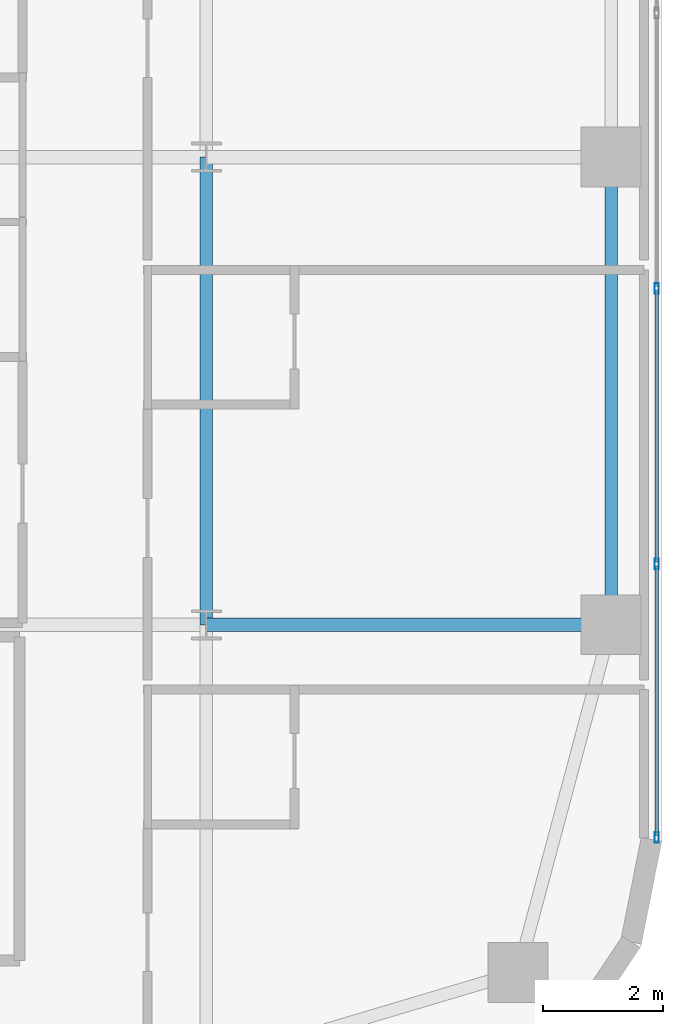
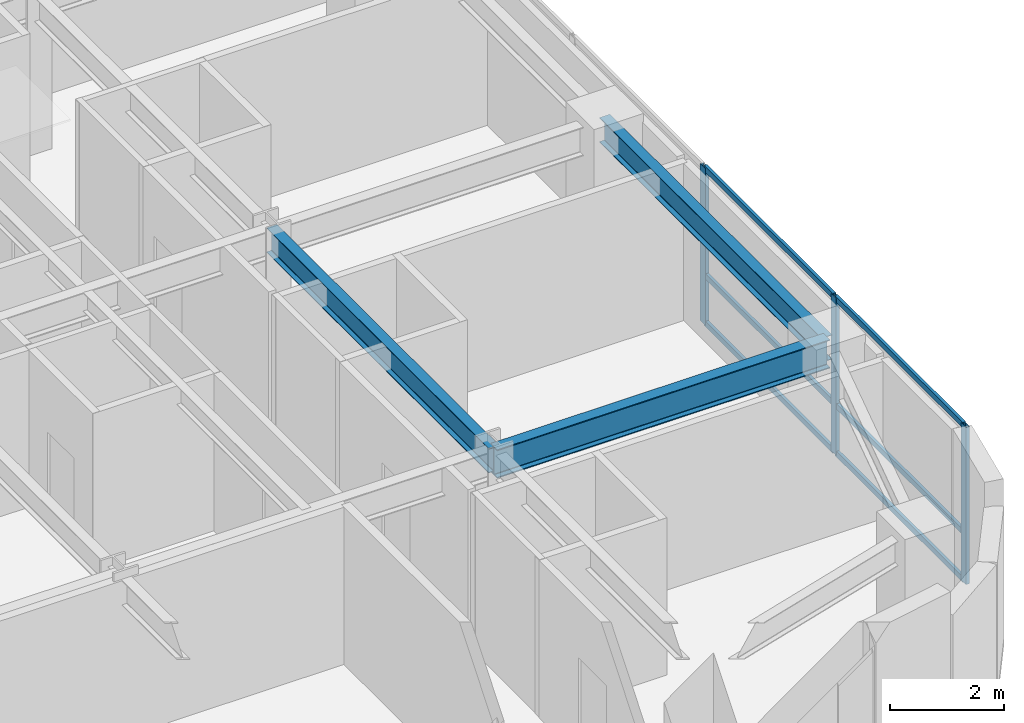
# One storey, part 12 of 31: 9 members, 3 beams, 1 element without a shape of its own.
"""IFC4 building model written with IfcOpenShell, lengths in metres."""

from ifc_helpers import new_model, si_unit, direction, frame, origin, origin_2d, place, context, subcontext, project, spatial, hollow_rectangle, i_section, extrude, source, transform, mapped, material, layer, layer_set, material_profile, profile_set, type_object, type_shapes, element, aggregate, save


model = new_model("IFC4")

# Units and contexts
model_context = context("Model", 3, precision=1e-05, world=origin(), true_north=direction((0.0, 1.0)))
body_context = subcontext(model_context, "Body", "Model", "MODEL_VIEW")
ifc_project = project(units=[si_unit("LENGTHUNIT", "METRE"), si_unit("AREAUNIT", "SQUARE_METRE"), si_unit("VOLUMEUNIT", "CUBIC_METRE"), si_unit("PLANEANGLEUNIT", "RADIAN"), si_unit("MASSUNIT", "GRAM", prefix="KILO")], contexts=[model_context])

# Site, building, storey
site_placement = place(None, origin())
site = spatial("IfcSite", under=ifc_project, at=site_placement, CompositionType="ELEMENT")
building_placement = place(site_placement, origin())
building = spatial("IfcBuilding", under=site, at=building_placement, Name="Tolvann Quenvar Hotel", CompositionType="ELEMENT")
storey_placement = place(building_placement, frame((0.0, 0.0, 74.60009765625)))
storey = spatial("IfcBuildingStorey", under=building, at=storey_placement, Name="L18", CompositionType="ELEMENT", Elevation=74.60009765625)

# Beams
ifc_material_1 = material(Name="Steel Grade 350", Category="steel")
ifc_material_profile_1 = material_profile(ifc_material_1, i_section(OverallWidth=0.22900390625, OverallDepth=0.612060546875, WebThickness=0.011962890625, FlangeThickness=0.01953125, FilletRadius=0.013916015625, at=origin_2d()), Name="610UB125")
ifc_profile_set_1 = profile_set([ifc_material_profile_1], Name="Steel Grade 350")
beam_type_1 = type_object("IfcBeamType", Name="BM_GIRD_610UB125", PredefinedType="BEAM", material=ifc_profile_set_1)
shared_shape_1 = source(origin(), body_context, "Body", "SweptSolid", [
    extrude(i_section(OverallWidth=0.22900390625, OverallDepth=0.612060546875, WebThickness=0.011962890625, FlangeThickness=0.01953125, FilletRadius=0.013916015625, at=origin_2d()), origin(), (0.0, 0.0, 1.0), 6.75),
])
type_shapes(beam_type_1, [shared_shape_1])
beam_1_placement = place(storey_placement, frame((49.39990234375, 8.199951171875, 3.06396484375), z_axis=(1.0, 0.0, 0.0), x_axis=(0.0, 1.0, 0.0)))
element("IfcBeam", 1, at=beam_1_placement, inside=storey, type_object=beam_type_1, Name="BM-L18-EW-3-I3-J3", PredefinedType="BEAM", context=body_context, shape_type="MappedRepresentation", body=[
    mapped(shared_shape_1, transform((0.0, 0.0, 0.0), x_axis=(1.0, 0.0, 0.0), y_axis=(0.0, 1.0, 0.0), z_axis=(0.0, 0.0, 1.0), scale=1.0)),
])
ifc_material_profile_2 = material_profile(ifc_material_1, i_section(OverallWidth=0.208984375, OverallDepth=0.528076171875, WebThickness=0.009521484375, FlangeThickness=0.01318359375, FilletRadius=0.013916015625, at=origin_2d()), Name="530UB82")
ifc_profile_set_2 = profile_set([ifc_material_profile_2], Name="Steel Grade 350")
beam_type_2 = type_object("IfcBeamType", Name="BM_SPAND_530UB82", PredefinedType="SPANDREL", material=ifc_profile_set_2)
shared_shape_2 = source(origin(), body_context, "Body", "SweptSolid", [
    extrude(i_section(OverallWidth=0.208984375, OverallDepth=0.528076171875, WebThickness=0.009521484375, FlangeThickness=0.01318359375, FilletRadius=0.013916015625, at=origin_2d()), origin(), (0.0, 0.0, 1.0), 7.800048828125),
])
type_shapes(beam_type_2, [shared_shape_2])
beam_2_placement = place(storey_placement, frame((56.14990234375, 8.199951171875, 3.10595703125), z_axis=(0.0, 1.0, 0.0), x_axis=(-1.0, 0.0, 0.0)))
element("IfcBeam", 2, at=beam_2_placement, inside=storey, type_object=beam_type_2, Name="BM-L18-NS-J3-J4", PredefinedType="SPANDREL", context=body_context, shape_type="MappedRepresentation", body=[
    mapped(shared_shape_2, transform((0.0, 0.0, 0.0), x_axis=(1.0, 0.0, 0.0), y_axis=(0.0, 1.0, 0.0), z_axis=(0.0, 0.0, 1.0), scale=1.0)),
])
ifc_material_profile_3 = material_profile(ifc_material_1, i_section(OverallWidth=0.208984375, OverallDepth=0.532958984375, WebThickness=0.01025390625, FlangeThickness=0.015625, FilletRadius=0.013916015625, at=origin_2d()), Name="530UB92")
ifc_profile_set_3 = profile_set([ifc_material_profile_3], Name="Steel Grade 350")
beam_type_3 = type_object("IfcBeamType", Name="BM_GIRD_530UB92", PredefinedType="BEAM", material=ifc_profile_set_3)
shared_shape_3 = source(origin(), body_context, "Body", "SweptSolid", [
    extrude(i_section(OverallWidth=0.208984375, OverallDepth=0.532958984375, WebThickness=0.01025390625, FlangeThickness=0.015625, FilletRadius=0.013916015625, at=origin_2d()), origin(), (0.0, 0.0, 1.0), 7.800048828125),
])
type_shapes(beam_type_3, [shared_shape_3])
beam_3_placement = place(storey_placement, frame((49.39990234375, 8.199951171875, 3.103515625), z_axis=(0.0, 1.0, 0.0), x_axis=(-1.0, 0.0, 0.0)))
element("IfcBeam", 3, at=beam_3_placement, inside=storey, type_object=beam_type_3, Name="BM-L18-NS-I3-I4", PredefinedType="BEAM", context=body_context, shape_type="MappedRepresentation", body=[
    mapped(shared_shape_3, transform((0.0, 0.0, 0.0), x_axis=(1.0, 0.0, 0.0), y_axis=(0.0, 1.0, 0.0), z_axis=(0.0, 0.0, 1.0), scale=1.0)),
])

# Curtain wall, members
ifc_material_2 = material(Name="Thermally broken anodised architectural aluminium 6063-T6 and laminated low-E glass", Category="aluminium")
ifc_layer = layer(ifc_material_2, 0.179931640625)
ifc_layer_set = layer_set([ifc_layer], Name="Thermally broken anodised architectural aluminium 6063-T6 and laminated low-E glass")
curtain_wall_type = type_object("IfcCurtainWallType", Name="CW_SYS_BAND_04", PredefinedType="USERDEFINED", material=ifc_layer_set)
curtain_wall_placement = place(storey_placement, origin())
curtain_wall = element("IfcCurtainWall", 4, at=curtain_wall_placement, inside=storey, type_object=curtain_wall_type, Name="Curtain Wall CW-BAND-04 (CWR-L18-E13)", ObjectType="UNITISED CURTAIN WALL", PredefinedType="USERDEFINED")
ifc_material_3 = material(Name="Anodised architectural aluminium 6063-T6 framing", Category="aluminium")
ifc_material_profile_4 = material_profile(ifc_material_3, hollow_rectangle(XDim=0.070068359375, YDim=0.179931640625, WallThickness=0.00390625, at=origin_2d()), Name="180x70x4RHS")
ifc_profile_set_4 = profile_set([ifc_material_profile_4], Name="Anodised architectural aluminium 6063-T6 framing")
member_type_1 = type_object("IfcMemberType", Name="CW_MULL_180x70", PredefinedType="MULLION", material=ifc_profile_set_4)
shared_shape_4 = source(origin(), body_context, "Body", "SweptSolid", [
    extrude(hollow_rectangle(XDim=0.070068359375, YDim=0.179931640625, WallThickness=0.00390625, at=origin_2d()), origin(), (0.0, 0.0, 1.0), 3.369873046875),
])
type_shapes(member_type_1, [shared_shape_4])
member_1_placement = place(storey_placement, frame((56.909912109375, 4.652099609375, 0.0), z_axis=(0.0, 0.0, 1.0), x_axis=(-1.0, 0.0, 0.0)))
member_1 = element("IfcMember", 5, at=member_1_placement, type_object=member_type_1, Name="CW-BAND-04 mullion 1", PredefinedType="MULLION", context=body_context, shape_type="MappedRepresentation", body=[
    mapped(shared_shape_4, transform((0.0, 0.0, 0.0), x_axis=(1.0, 0.0, 0.0), y_axis=(0.0, 1.0, 0.0), z_axis=(0.0, 0.0, 1.0), scale=1.0)),
])
member_2_placement = place(storey_placement, frame((56.909912109375, 9.212890625, 0.0), z_axis=(0.0, 0.0, 1.0), x_axis=(-1.0, 0.0, 0.0)))
member_2 = element("IfcMember", 6, at=member_2_placement, type_object=member_type_1, Name="CW-BAND-04 mullion 2", PredefinedType="MULLION", context=body_context, shape_type="MappedRepresentation", body=[
    mapped(shared_shape_4, transform((0.0, 0.0, 0.0), x_axis=(1.0, 0.0, 0.0), y_axis=(0.0, 1.0, 0.0), z_axis=(0.0, 0.0, 1.0), scale=1.0)),
])
member_3_placement = place(storey_placement, frame((56.909912109375, 13.80859375, 0.0), z_axis=(0.0, 0.0, 1.0), x_axis=(-1.0, 0.0, 0.0)))
member_3 = element("IfcMember", 7, at=member_3_placement, type_object=member_type_1, Name="CW-BAND-04 mullion 3", PredefinedType="MULLION", context=body_context, shape_type="MappedRepresentation", body=[
    mapped(shared_shape_4, transform((0.0, 0.0, 0.0), x_axis=(1.0, 0.0, 0.0), y_axis=(0.0, 1.0, 0.0), z_axis=(0.0, 0.0, 1.0), scale=1.0)),
])
ifc_material_profile_5 = material_profile(ifc_material_3, hollow_rectangle(XDim=0.06005859375, YDim=0.1201171875, WallThickness=0.00341796875, at=origin_2d()), Name="120x60x3.5RHS")
ifc_profile_set_5 = profile_set([ifc_material_profile_5], Name="Anodised architectural aluminium 6063-T6 framing")
member_type_2 = type_object("IfcMemberType", Name="CW_TRAN_120x60", PredefinedType="USERDEFINED", material=ifc_profile_set_5)
shared_shape_5 = source(origin(), body_context, "Body", "SweptSolid", [
    extrude(hollow_rectangle(XDim=0.06005859375, YDim=0.1201171875, WallThickness=0.00341796875, at=origin_2d()), origin(), (0.0, 0.0, 1.0), 4.49072265625),
])
member_4_placement = place(storey_placement, frame((56.909912109375, 4.687255859375, 0.02978515625), z_axis=(0.0, 1.0, 0.0), x_axis=(-1.0, 0.0, 0.0)))
member_4 = element("IfcMember", 8, at=member_4_placement, type_object=member_type_2, Name="CW-BAND-04 transom 1.1", ObjectType="TRANSOM", PredefinedType="USERDEFINED", context=body_context, shape_type="MappedRepresentation", body=[
    mapped(shared_shape_5, transform((0.0, 0.0, 0.0), x_axis=(1.0, 0.0, 0.0), y_axis=(0.0, 1.0, 0.0), z_axis=(0.0, 0.0, 1.0), scale=1.0)),
])
member_5_placement = place(storey_placement, frame((56.909912109375, 4.687255859375, 1.0498046875), z_axis=(0.0, 1.0, 0.0), x_axis=(-1.0, 0.0, 0.0)))
member_5 = element("IfcMember", 9, at=member_5_placement, type_object=member_type_2, Name="CW-BAND-04 transom 1.2", ObjectType="TRANSOM", PredefinedType="USERDEFINED", context=body_context, shape_type="MappedRepresentation", body=[
    mapped(shared_shape_5, transform((0.0, 0.0, 0.0), x_axis=(1.0, 0.0, 0.0), y_axis=(0.0, 1.0, 0.0), z_axis=(0.0, 0.0, 1.0), scale=1.0)),
])
member_6_placement = place(storey_placement, frame((56.909912109375, 4.687255859375, 3.33984375), z_axis=(0.0, 1.0, 0.0), x_axis=(-1.0, 0.0, 0.0)))
member_6 = element("IfcMember", 10, at=member_6_placement, type_object=member_type_2, Name="CW-BAND-04 transom 1.3", ObjectType="TRANSOM", PredefinedType="USERDEFINED", context=body_context, shape_type="MappedRepresentation", body=[
    mapped(shared_shape_5, transform((0.0, 0.0, 0.0), x_axis=(1.0, 0.0, 0.0), y_axis=(0.0, 1.0, 0.0), z_axis=(0.0, 0.0, 1.0), scale=1.0)),
])
shared_shape_6 = source(origin(), body_context, "Body", "SweptSolid", [
    extrude(hollow_rectangle(XDim=0.06005859375, YDim=0.1201171875, WallThickness=0.00341796875, at=origin_2d()), origin(), (0.0, 0.0, 1.0), 4.52587890625),
])
type_shapes(member_type_2, [shared_shape_5, shared_shape_6])
member_7_placement = place(storey_placement, frame((56.909912109375, 9.247802734375, 0.02978515625), z_axis=(0.0, 1.0, 0.0), x_axis=(-1.0, 0.0, 0.0)))
member_7 = element("IfcMember", 11, at=member_7_placement, type_object=member_type_2, Name="CW-BAND-04 transom 2.1", ObjectType="TRANSOM", PredefinedType="USERDEFINED", context=body_context, shape_type="MappedRepresentation", body=[
    mapped(shared_shape_6, transform((0.0, 0.0, 0.0), x_axis=(1.0, 0.0, 0.0), y_axis=(0.0, 1.0, 0.0), z_axis=(0.0, 0.0, 1.0), scale=1.0)),
])
member_8_placement = place(storey_placement, frame((56.909912109375, 9.247802734375, 1.0498046875), z_axis=(0.0, 1.0, 0.0), x_axis=(-1.0, 0.0, 0.0)))
member_8 = element("IfcMember", 12, at=member_8_placement, type_object=member_type_2, Name="CW-BAND-04 transom 2.2", ObjectType="TRANSOM", PredefinedType="USERDEFINED", context=body_context, shape_type="MappedRepresentation", body=[
    mapped(shared_shape_6, transform((0.0, 0.0, 0.0), x_axis=(1.0, 0.0, 0.0), y_axis=(0.0, 1.0, 0.0), z_axis=(0.0, 0.0, 1.0), scale=1.0)),
])
member_9_placement = place(storey_placement, frame((56.909912109375, 9.247802734375, 3.33984375), z_axis=(0.0, 1.0, 0.0), x_axis=(-1.0, 0.0, 0.0)))
member_9 = element("IfcMember", 13, at=member_9_placement, type_object=member_type_2, Name="CW-BAND-04 transom 2.3", ObjectType="TRANSOM", PredefinedType="USERDEFINED", context=body_context, shape_type="MappedRepresentation", body=[
    mapped(shared_shape_6, transform((0.0, 0.0, 0.0), x_axis=(1.0, 0.0, 0.0), y_axis=(0.0, 1.0, 0.0), z_axis=(0.0, 0.0, 1.0), scale=1.0)),
])
aggregate(curtain_wall, [member_1, member_2, member_3, member_4, member_5, member_6, member_7, member_8, member_9])

save(model, "model.ifc")
